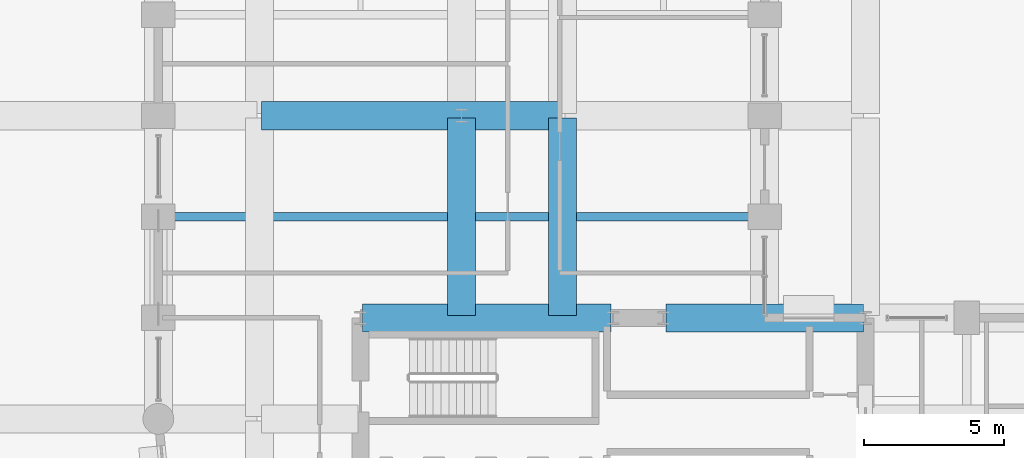
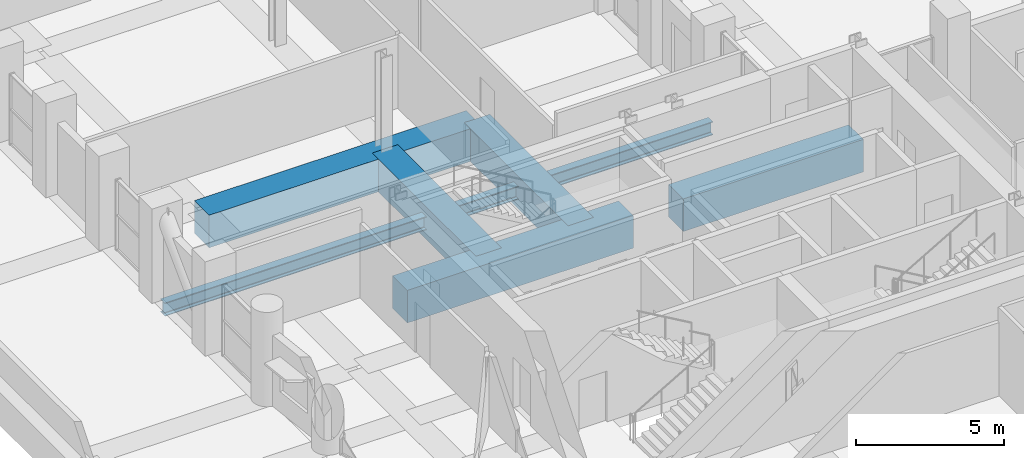
# One storey, part 9 of 39: 6 beams.
"""IFC4 building model written with IfcOpenShell, lengths in metres."""

from ifc_helpers import new_model, si_unit, direction, frame, origin, origin_2d, place, context, subcontext, project, spatial, rectangle, i_section, extrude, material, material_profile, profile_set, type_object, element, save


model = new_model("IFC4")

# Units and contexts
model_context = context("Model", 3, precision=1e-05, world=origin(), true_north=direction((0.0, 1.0)))
body_context = subcontext(model_context, "Body", "Model", "MODEL_VIEW")
ifc_project = project(units=[si_unit("LENGTHUNIT", "METRE"), si_unit("AREAUNIT", "SQUARE_METRE"), si_unit("VOLUMEUNIT", "CUBIC_METRE"), si_unit("PLANEANGLEUNIT", "RADIAN"), si_unit("MASSUNIT", "GRAM", prefix="KILO")], contexts=[model_context])

# Site, building, storey
site_placement = place(None, origin())
site = spatial("IfcSite", under=ifc_project, at=site_placement, CompositionType="ELEMENT")
building_placement = place(site_placement, origin())
building = spatial("IfcBuilding", under=site, at=building_placement, Name="Solnavia Interchange Tower", CompositionType="ELEMENT")
storey_placement = place(building_placement, frame((0.0, 0.0, 24.0)))
storey = spatial("IfcBuildingStorey", under=building, at=storey_placement, Name="L05", CompositionType="ELEMENT", Elevation=24.0)

# Beams
ifc_material_1 = material(Name="Steel S460", Category="steel")
ifc_material_profile_1 = material_profile(ifc_material_1, i_section(OverallWidth=0.300048828125, OverallDepth=0.550048828125, WebThickness=0.014892578125, FlangeThickness=0.029052734375, FilletRadius=0.027099609375, at=origin_2d()), Name="HEB 550")
ifc_profile_set_1 = profile_set([ifc_material_profile_1], Name="Steel S460")
beam_type_1 = type_object("IfcBeamType", Name="Beam-Girder-HEB550", PredefinedType="BEAM", material=ifc_profile_set_1)
beam_1_placement = place(storey_placement, frame((7.280029296875, 28.800048828125, -0.675048828125), z_axis=(1.0, 0.0, 0.0), x_axis=(0.0, 1.0, 0.0)))
element("IfcBeam", 1, at=beam_1_placement, inside=storey, type_object=beam_type_1, Name="GRD-L05-NW04 North wing primary floor girder", PredefinedType="BEAM", context=body_context, shape_type="SweptSolid", body=[
    extrude(i_section(OverallWidth=0.300048828125, OverallDepth=0.550048828125, WebThickness=0.014892578125, FlangeThickness=0.029052734375, FilletRadius=0.027099609375, at=origin_2d()), origin(), (0.0, 0.0, 1.0), 21.43994140625),
])
ifc_material_2 = material(Name="Concrete C60/75", Category="concrete")
ifc_material_profile_2 = material_profile(ifc_material_2, rectangle(XDim=1.0, YDim=1.35009765625, at=origin_2d()), Name="RC 1000x1350")
ifc_profile_set_2 = profile_set([ifc_material_profile_2], Name="Concrete C60/75")
beam_type_2 = type_object("IfcBeamType", Name="Beam-Transfer-RC1000x1350", PredefinedType="BEAM", material=ifc_profile_set_2)
beam_2_placement = place(storey_placement, frame((14.47998046875, 25.199951171875, -0.675048828125), z_axis=(1.0, 0.0, 0.0), x_axis=(0.0, 1.0, 0.0)))
element("IfcBeam", 2, at=beam_2_placement, inside=storey, type_object=beam_type_2, Name="TRB-L05-19 Core-north primary transfer girder", PredefinedType="BEAM", context=body_context, shape_type="SweptSolid", body=[
    extrude(rectangle(XDim=1.0, YDim=1.35009765625, at=origin_2d()), origin(), (0.0, 0.0, 1.0), 8.840087890625),
])
beam_3_placement = place(storey_placement, frame((25.280029296875, 25.199951171875, -0.675048828125), z_axis=(1.0, 0.0, 0.0), x_axis=(0.0, 1.0, 0.0)))
element("IfcBeam", 3, at=beam_3_placement, inside=storey, type_object=beam_type_2, Name="TRB-L05-20 Core-north primary transfer girder", PredefinedType="BEAM", context=body_context, shape_type="SweptSolid", body=[
    extrude(rectangle(XDim=1.0, YDim=1.35009765625, at=origin_2d()), origin(), (0.0, 0.0, 1.0), 7.0400390625),
])
beam_4_placement = place(storey_placement, frame((10.8798828125, 32.39990234375, -0.675048828125), z_axis=(1.0, 0.0, 0.0), x_axis=(0.0, 1.0, 0.0)))
element("IfcBeam", 4, at=beam_4_placement, inside=storey, type_object=beam_type_2, Name="TRB-L05-22 North primary transfer girder", PredefinedType="BEAM", context=body_context, shape_type="SweptSolid", body=[
    extrude(rectangle(XDim=1.0, YDim=1.35009765625, at=origin_2d()), origin(), (0.0, 0.0, 1.0), 10.64013671875),
])
for number, where, z_axis, x_axis, name in (
    (5, (21.60009765625, 25.280029296875, -0.675048828125), (0.0, 1.0, 0.0), (-1.0, 0.0, 0.0), "TRB-L05-40 North-east N-S primary transfer girder"),
    (6, (18.0, 25.280029296875, -0.675048828125), (0.0, 1.0, 0.0), (-1.0, 0.0, 0.0), "TRB-L05-59 North spine transfer girder"),
):
    element("IfcBeam", number, at=place(storey_placement, frame(where, z_axis=z_axis, x_axis=x_axis)), inside=storey, type_object=beam_type_2, Name=name, PredefinedType="BEAM", context=body_context, shape_type="SweptSolid", body=[
        extrude(rectangle(XDim=1.0, YDim=1.35009765625, at=origin_2d()), origin(), (0.0, 0.0, 1.0), 7.0400390625),
    ])

save(model, "model.ifc")
